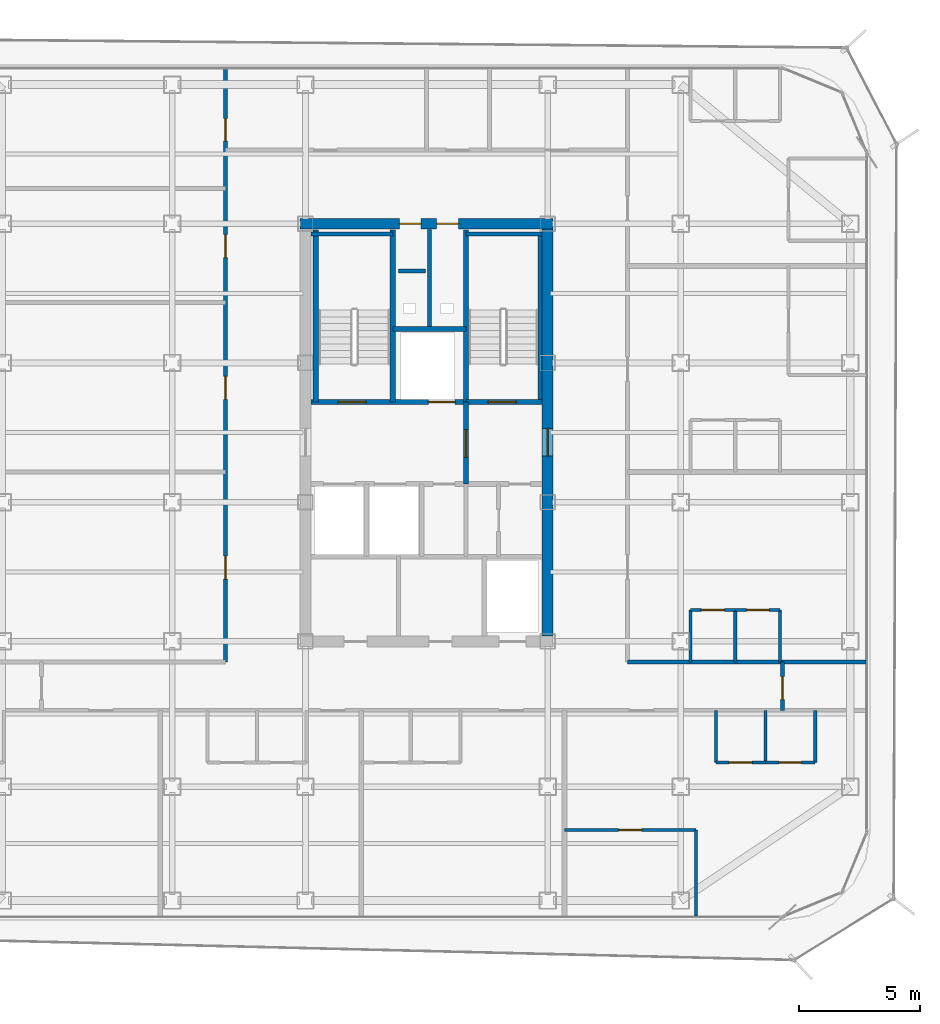
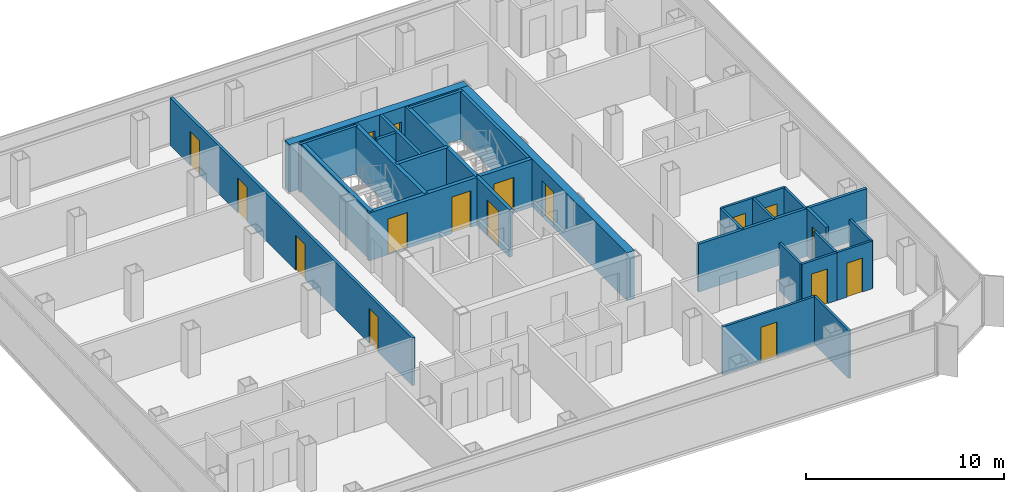
# One storey, part 11 of 15: 30 walls, 17 doors, 17 openings.
"""IFC4 building model written with IfcOpenShell, lengths in metres."""

from ifc_helpers import new_model, si_unit, direction, frame, frame_2d, origin, place, context, subcontext, project, spatial, rectangle, extrude, material, layer, layer_set, type_object, element, fill, save


model = new_model("IFC4")

# Units and contexts
model_context = context("Model", 3, precision=1e-05, world=origin(), true_north=direction((0.0, 1.0)))
body_context = subcontext(model_context, "Body", "Model", "MODEL_VIEW")
ifc_project = project(units=[si_unit("LENGTHUNIT", "METRE"), si_unit("AREAUNIT", "SQUARE_METRE"), si_unit("VOLUMEUNIT", "CUBIC_METRE"), si_unit("PLANEANGLEUNIT", "RADIAN"), si_unit("MASSUNIT", "GRAM", prefix="KILO")], contexts=[model_context])

# Site, building, storey
site_placement = place(None, origin())
site = spatial("IfcSite", under=ifc_project, at=site_placement, CompositionType="ELEMENT")
building_placement = place(site_placement, origin())
building = spatial("IfcBuilding", under=site, at=building_placement, Name="Kolveth Station Tower", CompositionType="ELEMENT")
storey_placement = place(building_placement, frame((0.0, 0.0, 165.699951171875)))
storey = spatial("IfcBuildingStorey", under=building, at=storey_placement, Name="L46", CompositionType="ELEMENT", Elevation=165.699951171875)

# Wall, openings, doors
ifc_material_1 = material(Name="Concrete C50/60", Category="concrete")
ifc_layer_1 = layer(ifc_material_1, 0.449951171875)
ifc_layer_set_1 = layer_set([ifc_layer_1], Name="Concrete C50/60")
wall_type_1 = type_object("IfcWallType", Name="Wall_CW-450", PredefinedType="SHEAR", material=ifc_layer_set_1)
wall_1_placement = place(storey_placement, frame((18.27490234375, 28.75, 0.0), z_axis=(0.0, 0.0, 1.0), x_axis=(1.0, 0.0, 0.0)))
wall_1 = element("IfcWall", 1, at=wall_1_placement, inside=storey, type_object=wall_type_1, Name="L46 Core RC Shear Wall N", PredefinedType="SHEAR", context=body_context, shape_type="SweptSolid", body=[
    extrude(rectangle(XDim=10.4501953125, YDim=0.449951171875, at=frame_2d((5.22509765625, 0.0))), origin(), (0.0, 0.0, 1.0), 2.949951171875),
])
opening_1_placement = place(wall_1_placement, frame((4.10498046875, 0.0, 0.0)))
opening_1 = element("IfcOpeningElement", 2, at=opening_1_placement, cuts=wall_1, Name="Opening RD1", PredefinedType="OPENING", context=body_context, shape_type="SweptSolid", body=[
    extrude(rectangle(XDim=0.89990234375, YDim=2.050048828125, at=frame_2d((0.449951171875, 1.02490234375))), frame((0.0, 0.23486328125, 0.0), z_axis=(0.0, -1.0, 0.0), x_axis=(1.0, 0.0, 0.0)), (0.0, 0.0, 1.0), 0.469970703125),
])
opening_2_placement = place(wall_1_placement, frame((5.64501953125, 0.0, 0.0)))
opening_2 = element("IfcOpeningElement", 3, at=opening_2_placement, cuts=wall_1, Name="Opening RD1", PredefinedType="OPENING", context=body_context, shape_type="SweptSolid", body=[
    extrude(rectangle(XDim=0.89990234375, YDim=2.050048828125, at=frame_2d((0.449951171875, 1.02490234375))), frame((0.0, 0.23486328125, 0.0), z_axis=(0.0, -1.0, 0.0), x_axis=(1.0, 0.0, 0.0)), (0.0, 0.0, 1.0), 0.469970703125),
])
ifc_material_2 = material(Name="Fire-rated Steel S355 riser access leaf", Category="steel")
door_type_1 = type_object("IfcDoorType", Name="Door_RD1", OperationType="NOTDEFINED", PredefinedType="DOOR", material=ifc_material_2)
door_1_placement = place(opening_1_placement, origin())
door_1 = element("IfcDoor", 4, at=door_1_placement, inside=storey, type_object=door_type_1, Name="L46 Electrical Riser Access Door", OperationType="SINGLE_SWING_LEFT", OverallHeight=2.050048828125, OverallWidth=0.89990234375, PredefinedType="DOOR", context=body_context, shape_type="SweptSolid", body=[
    extrude(rectangle(XDim=0.89990234375, YDim=2.050048828125, at=frame_2d((0.449951171875, 1.02490234375))), frame((0.0, 0.02490234375, 0.0), z_axis=(0.0, -1.0, 0.0), x_axis=(1.0, 0.0, 0.0)), (0.0, 0.0, 1.0), 0.050048828125),
])
fill(opening_1, door_1)
door_2_placement = place(opening_2_placement, origin())
door_2 = element("IfcDoor", 5, at=door_2_placement, inside=storey, type_object=door_type_1, Name="L46 Smoke Duct Access Door", OperationType="SINGLE_SWING_LEFT", OverallHeight=2.050048828125, OverallWidth=0.89990234375, PredefinedType="DOOR", context=body_context, shape_type="SweptSolid", body=[
    extrude(rectangle(XDim=0.89990234375, YDim=2.050048828125, at=frame_2d((0.449951171875, 1.02490234375))), frame((0.0, 0.02490234375, 0.0), z_axis=(0.0, -1.0, 0.0), x_axis=(1.0, 0.0, 0.0)), (0.0, 0.0, 1.0), 0.050048828125),
])
fill(opening_2, door_2)

# Wall, opening, door
wall_2_placement = place(storey_placement, frame((28.5, 11.72509765625, 0.0), z_axis=(0.0, 0.0, 1.0), x_axis=(0.0, 1.0, 0.0)))
wall_2 = element("IfcWall", 6, at=wall_2_placement, inside=storey, type_object=wall_type_1, Name="L46 Core RC Shear Wall E", PredefinedType="SHEAR", context=body_context, shape_type="SweptSolid", body=[
    extrude(rectangle(XDim=16.7998046875, YDim=0.449951171875, at=frame_2d((8.39990234375, 0.0))), origin(), (0.0, 0.0, 1.0), 2.949951171875),
])
opening_3_placement = place(wall_2_placement, frame((7.425048828125, 0.0, 0.0)))
opening_3 = element("IfcOpeningElement", 7, at=opening_3_placement, cuts=wall_2, Name="Opening FD1", PredefinedType="OPENING", context=body_context, shape_type="SweptSolid", body=[
    extrude(rectangle(XDim=1.14990234375, YDim=2.199951171875, at=frame_2d((0.574951171875, 1.10009765625))), frame((0.0, 0.23486328125, 0.0), z_axis=(0.0, -1.0, 0.0), x_axis=(1.0, 0.0, 0.0)), (0.0, 0.0, 1.0), 0.469970703125),
])
ifc_material_3 = material(Name="Fire-rated Steel S355 leaf and frame", Category="steel")
door_type_2 = type_object("IfcDoorType", Name="Door_FD1", OperationType="NOTDEFINED", PredefinedType="DOOR", material=ifc_material_3)
door_3_placement = place(opening_3_placement, origin())
door_3 = element("IfcDoor", 8, at=door_3_placement, inside=storey, type_object=door_type_2, Name="L46 East Corridor to Stair Lobby Door", OperationType="SINGLE_SWING_LEFT", OverallHeight=2.199951171875, OverallWidth=1.14990234375, PredefinedType="DOOR", context=body_context, shape_type="SweptSolid", body=[
    extrude(rectangle(XDim=1.14990234375, YDim=2.199951171875, at=frame_2d((0.574951171875, 1.10009765625))), frame((0.0, 0.02490234375, 0.0), z_axis=(0.0, -1.0, 0.0), x_axis=(1.0, 0.0, 0.0)), (0.0, 0.0, 1.0), 0.050048828125),
])
fill(opening_3, door_3)

ifc_material_4 = material(Name="Moisture-resistant gypsum partition")
ifc_layer_2 = layer(ifc_material_4, 0.135009765625)
ifc_layer_set_2 = layer_set([ifc_layer_2], Name="Moisture-resistant gypsum partition")
wall_type_2 = type_object("IfcWallType", Name="Wall_IW-135", PredefinedType="PARTITIONING", material=ifc_layer_set_2)
wall_3_placement = place(storey_placement, frame((35.449951171875, 6.5, 0.0), z_axis=(0.0, 0.0, 1.0), x_axis=(1.0, 0.0, 0.0)))
wall_3 = element("IfcWall", 9, at=wall_3_placement, inside=storey, type_object=wall_type_2, Name="L46 Partition Wall WL-L46-A4-IBHK", PredefinedType="PARTITIONING", context=body_context, shape_type="SweptSolid", body=[
    extrude(rectangle(XDim=2.050048828125, YDim=0.135009765625, at=frame_2d((1.02490234375, 0.0))), origin(), (0.0, 0.0, 1.0), 2.949951171875),
])
opening_4_placement = place(wall_3_placement, frame((0.544921875, 0.0, 0.0)))
opening_4 = element("IfcOpeningElement", 10, at=opening_4_placement, cuts=wall_3, Name="Opening ID1", PredefinedType="OPENING", context=body_context, shape_type="SweptSolid", body=[
    extrude(rectangle(XDim=0.949951171875, YDim=2.14990234375, at=frame_2d((0.47509765625, 1.074951171875))), frame((0.0, 0.077392578125, 0.0), z_axis=(0.0, -1.0, 0.0), x_axis=(1.0, 0.0, 0.0)), (0.0, 0.0, 1.0), 0.155029296875),
])
ifc_material_5 = material(Name="Acoustic hardwood leaf and aluminium frame", Category="wood")
door_type_3 = type_object("IfcDoorType", Name="Door_ID1", OperationType="NOTDEFINED", PredefinedType="DOOR", material=ifc_material_5)
door_4_placement = place(opening_4_placement, origin())
door_4 = element("IfcDoor", 11, at=door_4_placement, inside=storey, type_object=door_type_3, Name="Penthouse Flat L46-A4 Kitchen Door", OperationType="SINGLE_SWING_LEFT", OverallHeight=2.14990234375, OverallWidth=0.949951171875, PredefinedType="DOOR", context=body_context, shape_type="SweptSolid", body=[
    extrude(rectangle(XDim=0.949951171875, YDim=2.14990234375, at=frame_2d((0.47509765625, 1.074951171875))), frame((0.0, 0.02490234375, 0.0), z_axis=(0.0, -1.0, 0.0), x_axis=(1.0, 0.0, 0.0)), (0.0, 0.0, 1.0), 0.050048828125),
])
fill(opening_4, door_4)

wall_4_placement = place(storey_placement, frame((37.5, 6.5, 0.0), z_axis=(0.0, 0.0, 1.0), x_axis=(1.0, 0.0, 0.0)))
wall_4 = element("IfcWall", 12, at=wall_4_placement, inside=storey, type_object=wall_type_2, Name="L46 Partition Wall WL-L46-A4-IBHB", PredefinedType="PARTITIONING", context=body_context, shape_type="SweptSolid", body=[
    extrude(rectangle(XDim=2.050048828125, YDim=0.135009765625, at=frame_2d((1.02490234375, 0.0))), origin(), (0.0, 0.0, 1.0), 2.949951171875),
])
opening_5_placement = place(wall_4_placement, frame((0.56494140625, 0.0, 0.0)))
opening_5 = element("IfcOpeningElement", 13, at=opening_5_placement, cuts=wall_4, Name="Opening ID2", PredefinedType="OPENING", context=body_context, shape_type="SweptSolid", body=[
    extrude(rectangle(XDim=0.919921875, YDim=2.10009765625, at=frame_2d((0.4599609375, 1.050048828125))), frame((0.0, 0.077392578125, 0.0), z_axis=(0.0, -1.0, 0.0), x_axis=(1.0, 0.0, 0.0)), (0.0, 0.0, 1.0), 0.155029296875),
])
ifc_material_6 = material(Name="Moisture-resistant hardwood leaf", Category="wood")
door_type_4 = type_object("IfcDoorType", Name="Door_ID2", OperationType="NOTDEFINED", PredefinedType="DOOR", material=ifc_material_6)
door_5_placement = place(opening_5_placement, origin())
door_5 = element("IfcDoor", 14, at=door_5_placement, inside=storey, type_object=door_type_4, Name="Penthouse Flat L46-A4 Bathroom Door", OperationType="SINGLE_SWING_RIGHT", OverallHeight=2.10009765625, OverallWidth=0.919921875, PredefinedType="DOOR", context=body_context, shape_type="SweptSolid", body=[
    extrude(rectangle(XDim=0.919921875, YDim=2.10009765625, at=frame_2d((0.4599609375, 1.050048828125))), frame((0.0, 0.02490234375, 0.0), z_axis=(0.0, -1.0, 0.0), x_axis=(1.0, 0.0, 0.0)), (0.0, 0.0, 1.0), 0.050048828125),
])
fill(opening_5, door_5)

# Walls
for number, where, z_axis, x_axis, name in (
    (15, (35.449951171875, 6.5, 0.0), (0.0, 0.0, 1.0), (0.0, 1.0, 0.0), "L46 Partition Wall WL-L46-A4-IBV0"),
    (16, (37.5, 6.5, 0.0), (0.0, 0.0, 1.0), (0.0, 1.0, 0.0), "L46 Partition Wall WL-L46-A4-IBV1"),
    (17, (39.550048828125, 6.5, 0.0), (0.0, 0.0, 1.0), (0.0, 1.0, 0.0), "L46 Partition Wall WL-L46-A4-IBV2"),
):
    element("IfcWall", number, at=place(storey_placement, frame(where, z_axis=z_axis, x_axis=x_axis)), inside=storey, type_object=wall_type_2, Name=name, PredefinedType="PARTITIONING", context=body_context, shape_type="SweptSolid", body=[
        extrude(rectangle(XDim=2.14990234375, YDim=0.135009765625, at=frame_2d((1.074951171875, 0.0))), origin(), (0.0, 0.0, 1.0), 2.949951171875),
    ])
wall_5_placement = place(storey_placement, frame((34.625, 0.159912109375, 0.0), z_axis=(0.0, 0.0, 1.0), x_axis=(0.0, 1.0, 0.0)))
element("IfcWall", 18, at=wall_5_placement, inside=storey, type_object=wall_type_2, Name="L46 Partition Wall WL-L46-A4-BDVE", PredefinedType="PARTITIONING", context=body_context, shape_type="SweptSolid", body=[
    extrude(rectangle(XDim=3.550048828125, YDim=0.135009765625, at=frame_2d((1.77490234375, 0.0))), origin(), (0.0, 0.0, 1.0), 2.949951171875),
])

# Wall, opening, door
wall_6_placement = place(storey_placement, frame((29.199951171875, 3.7099609375, 0.0), z_axis=(0.0, 0.0, 1.0), x_axis=(1.0, 0.0, 0.0)))
wall_6 = element("IfcWall", 19, at=wall_6_placement, inside=storey, type_object=wall_type_2, Name="L46 Partition Wall WL-L46-A4-BDH1", PredefinedType="PARTITIONING", context=body_context, shape_type="SweptSolid", body=[
    extrude(rectangle(XDim=5.425048828125, YDim=0.135009765625, at=frame_2d((2.71240234375, 0.0))), origin(), (0.0, 0.0, 1.0), 2.949951171875),
])
opening_6_placement = place(wall_6_placement, frame((2.23291015625, 0.0, 0.0)))
opening_6 = element("IfcOpeningElement", 20, at=opening_6_placement, cuts=wall_6, Name="Opening ID1", PredefinedType="OPENING", context=body_context, shape_type="SweptSolid", body=[
    extrude(rectangle(XDim=0.949951171875, YDim=2.14990234375, at=frame_2d((0.47509765625, 1.074951171875))), frame((0.0, 0.077392578125, 0.0), z_axis=(0.0, -1.0, 0.0), x_axis=(1.0, 0.0, 0.0)), (0.0, 0.0, 1.0), 0.155029296875),
])
door_6_placement = place(opening_6_placement, frame((0.949951171875, 0.0, 0.0), z_axis=(0.0, 0.0, 1.0), x_axis=(-1.0, 0.0, 0.0)))
door_6 = element("IfcDoor", 21, at=door_6_placement, inside=storey, type_object=door_type_3, Name="Penthouse Flat L46-A4 Bedroom 1 Door", OperationType="SINGLE_SWING_LEFT", OverallHeight=2.14990234375, OverallWidth=0.949951171875, PredefinedType="DOOR", context=body_context, shape_type="SweptSolid", body=[
    extrude(rectangle(XDim=0.949951171875, YDim=2.14990234375, at=frame_2d((0.47509765625, 1.074951171875))), frame((0.0, 0.02490234375, 0.0), z_axis=(0.0, -1.0, 0.0), x_axis=(1.0, 0.0, 0.0)), (0.0, 0.0, 1.0), 0.050048828125),
])
fill(opening_6, door_6)

wall_7_placement = place(storey_placement, frame((34.39990234375, 12.800048828125, 0.0), z_axis=(0.0, 0.0, 1.0), x_axis=(1.0, 0.0, 0.0)))
wall_7 = element("IfcWall", 22, at=wall_7_placement, inside=storey, type_object=wall_type_2, Name="L46 Partition Wall WL-L46-E1-IBHK", PredefinedType="PARTITIONING", context=body_context, shape_type="SweptSolid", body=[
    extrude(rectangle(XDim=1.85009765625, YDim=0.135009765625, at=frame_2d((0.925048828125, 0.0))), origin(), (0.0, 0.0, 1.0), 2.949951171875),
])
opening_7_placement = place(wall_7_placement, frame((0.445068359375, 0.0, 0.0)))
opening_7 = element("IfcOpeningElement", 23, at=opening_7_placement, cuts=wall_7, Name="Opening ID1", PredefinedType="OPENING", context=body_context, shape_type="SweptSolid", body=[
    extrude(rectangle(XDim=0.949951171875, YDim=2.14990234375, at=frame_2d((0.47509765625, 1.074951171875))), frame((0.0, 0.077392578125, 0.0), z_axis=(0.0, -1.0, 0.0), x_axis=(1.0, 0.0, 0.0)), (0.0, 0.0, 1.0), 0.155029296875),
])
door_7_placement = place(opening_7_placement, origin())
door_7 = element("IfcDoor", 24, at=door_7_placement, inside=storey, type_object=door_type_3, Name="Flat L46-E1 Kitchen Door", OperationType="SINGLE_SWING_LEFT", OverallHeight=2.14990234375, OverallWidth=0.949951171875, PredefinedType="DOOR", context=body_context, shape_type="SweptSolid", body=[
    extrude(rectangle(XDim=0.949951171875, YDim=2.14990234375, at=frame_2d((0.47509765625, 1.074951171875))), frame((0.0, 0.02490234375, 0.0), z_axis=(0.0, -1.0, 0.0), x_axis=(1.0, 0.0, 0.0)), (0.0, 0.0, 1.0), 0.050048828125),
])
fill(opening_7, door_7)

wall_8_placement = place(storey_placement, frame((36.25, 12.800048828125, 0.0), z_axis=(0.0, 0.0, 1.0), x_axis=(1.0, 0.0, 0.0)))
wall_8 = element("IfcWall", 25, at=wall_8_placement, inside=storey, type_object=wall_type_2, Name="L46 Partition Wall WL-L46-E1-IBHB", PredefinedType="PARTITIONING", context=body_context, shape_type="SweptSolid", body=[
    extrude(rectangle(XDim=1.85009765625, YDim=0.135009765625, at=frame_2d((0.925048828125, 0.0))), origin(), (0.0, 0.0, 1.0), 2.949951171875),
])
opening_8_placement = place(wall_8_placement, frame((0.465087890625, 0.0, 0.0)))
opening_8 = element("IfcOpeningElement", 26, at=opening_8_placement, cuts=wall_8, Name="Opening ID2", PredefinedType="OPENING", context=body_context, shape_type="SweptSolid", body=[
    extrude(rectangle(XDim=0.919921875, YDim=2.10009765625, at=frame_2d((0.4599609375, 1.050048828125))), frame((0.0, 0.077392578125, 0.0), z_axis=(0.0, -1.0, 0.0), x_axis=(1.0, 0.0, 0.0)), (0.0, 0.0, 1.0), 0.155029296875),
])
door_8_placement = place(opening_8_placement, origin())
door_8 = element("IfcDoor", 27, at=door_8_placement, inside=storey, type_object=door_type_4, Name="Flat L46-E1 Bathroom Door", OperationType="SINGLE_SWING_RIGHT", OverallHeight=2.10009765625, OverallWidth=0.919921875, PredefinedType="DOOR", context=body_context, shape_type="SweptSolid", body=[
    extrude(rectangle(XDim=0.919921875, YDim=2.10009765625, at=frame_2d((0.4599609375, 1.050048828125))), frame((0.0, 0.02490234375, 0.0), z_axis=(0.0, -1.0, 0.0), x_axis=(1.0, 0.0, 0.0)), (0.0, 0.0, 1.0), 0.050048828125),
])
fill(opening_8, door_8)

# Walls
for number, where, z_axis, x_axis, name in (
    (28, (34.39990234375, 10.64990234375, 0.0), (0.0, 0.0, 1.0), (0.0, 1.0, 0.0), "L46 Partition Wall WL-L46-E1-IBV0"),
    (29, (36.25, 10.64990234375, 0.0), (0.0, 0.0, 1.0), (0.0, 1.0, 0.0), "L46 Partition Wall WL-L46-E1-IBV1"),
    (30, (38.10009765625, 10.64990234375, 0.0), (0.0, 0.0, 1.0), (0.0, 1.0, 0.0), "L46 Partition Wall WL-L46-E1-IBV2"),
):
    element("IfcWall", number, at=place(storey_placement, frame(where, z_axis=z_axis, x_axis=x_axis)), inside=storey, type_object=wall_type_2, Name=name, PredefinedType="PARTITIONING", context=body_context, shape_type="SweptSolid", body=[
        extrude(rectangle(XDim=2.150146484375, YDim=0.135009765625, at=frame_2d((1.0751953125, 0.0))), origin(), (0.0, 0.0, 1.0), 2.949951171875),
    ])
ifc_material_7 = material(Name="Acoustic double-stud gypsum partition")
ifc_layer_3 = layer(ifc_material_7, 0.1650390625)
ifc_layer_set_3 = layer_set([ifc_layer_3], Name="Acoustic double-stud gypsum partition")
wall_type_3 = type_object("IfcWallType", Name="Wall_IW-165", PredefinedType="PARTITIONING", material=ifc_layer_set_3)
wall_9_placement = place(storey_placement, frame((18.735107421875, 28.3349609375, 0.0), z_axis=(0.0, 0.0, 1.0), x_axis=(1.0, 0.0, 0.0)))
element("IfcWall", 31, at=wall_9_placement, inside=storey, type_object=wall_type_3, Name="L46 Stair Shaft Wall WL-L46-ST1-N", PredefinedType="PARTITIONING", context=body_context, shape_type="SweptSolid", body=[
    extrude(rectangle(XDim=3.375, YDim=0.1650390625, at=frame_2d((1.6875, 0.0))), origin(), (0.0, 0.0, 1.0), 2.949951171875),
])
wall_10_placement = place(storey_placement, frame((25.1298828125, 28.3349609375, 0.0), z_axis=(0.0, 0.0, 1.0), x_axis=(1.0, 0.0, 0.0)))
element("IfcWall", 32, at=wall_10_placement, inside=storey, type_object=wall_type_3, Name="L46 Stair Shaft Wall WL-L46-ST2-N", PredefinedType="PARTITIONING", context=body_context, shape_type="SweptSolid", body=[
    extrude(rectangle(XDim=3.135009765625, YDim=0.1650390625, at=frame_2d((1.5673828125, 0.0))), origin(), (0.0, 0.0, 1.0), 2.949951171875),
])
wall_11_placement = place(storey_placement, frame((28.1826171875, 21.389892578125, 0.0), z_axis=(0.0, 0.0, 1.0), x_axis=(0.0, 1.0, 0.0)))
element("IfcWall", 33, at=wall_11_placement, inside=storey, type_object=wall_type_3, Name="L46 Stair Shaft Wall WL-L46-ST2-E", PredefinedType="PARTITIONING", context=body_context, shape_type="SweptSolid", body=[
    extrude(rectangle(XDim=6.945068359375, YDim=0.1650390625, at=frame_2d((3.47265625, 0.0))), origin(), (0.0, 0.0, 1.0), 2.949951171875),
])
wall_12_placement = place(storey_placement, frame((23.6201171875, 24.39990234375, 0.0), z_axis=(0.0, 0.0, 1.0), x_axis=(0.0, 1.0, 0.0)))
element("IfcWall", 34, at=wall_12_placement, inside=storey, type_object=wall_type_3, Name="L46 Partition Wall WL-L46-RSR-M", PredefinedType="PARTITIONING", context=body_context, shape_type="SweptSolid", body=[
    extrude(rectangle(XDim=4.114990234375, YDim=0.1650390625, at=frame_2d((2.0576171875, 0.0))), origin(), (0.0, 0.0, 1.0), 2.949951171875),
])
wall_13_placement = place(storey_placement, frame((31.800048828125, 10.64990234375, 0.0), z_axis=(0.0, 0.0, 1.0), x_axis=(1.0, 0.0, 0.0)))
element("IfcWall", 35, at=wall_13_placement, inside=storey, type_object=wall_type_3, Name="L46 Partition Wall WL-L46-RSET", PredefinedType="PARTITIONING", context=body_context, shape_type="SweptSolid", body=[
    extrude(rectangle(XDim=6.39990234375, YDim=0.1650390625, at=frame_2d((3.199951171875, 0.0))), origin(), (0.0, 0.0, 1.0), 2.949951171875),
])

# Wall, opening, door
wall_14_placement = place(storey_placement, frame((38.199951171875, 8.64990234375, 0.0), z_axis=(0.0, 0.0, 1.0), x_axis=(0.0, 1.0, 0.0)))
wall_14 = element("IfcWall", 36, at=wall_14_placement, inside=storey, type_object=wall_type_3, Name="L46 Partition Wall WL-L46-RSEE", PredefinedType="PARTITIONING", context=body_context, shape_type="SweptSolid", body=[
    extrude(rectangle(XDim=2.0, YDim=0.1650390625, at=frame_2d((1.0, 0.0))), origin(), (0.0, 0.0, 1.0), 2.949951171875),
])
opening_9_placement = place(wall_14_placement, frame((0.449951171875, 0.0, 0.0)))
opening_9 = element("IfcOpeningElement", 37, at=opening_9_placement, cuts=wall_14, Name="Opening ID1", PredefinedType="OPENING", context=body_context, shape_type="SweptSolid", body=[
    extrude(rectangle(XDim=0.949951171875, YDim=2.14990234375, at=frame_2d((0.47509765625, 1.074951171875))), frame((0.0, 0.092529296875, 0.0), z_axis=(0.0, -1.0, 0.0), x_axis=(1.0, 0.0, 0.0)), (0.0, 0.0, 1.0), 0.18505859375),
])
door_9_placement = place(opening_9_placement, origin())
door_9 = element("IfcDoor", 38, at=door_9_placement, inside=storey, type_object=door_type_3, Name="L46 Hobby Study Door", OperationType="SINGLE_SWING_RIGHT", OverallHeight=2.14990234375, OverallWidth=0.949951171875, PredefinedType="DOOR", context=body_context, shape_type="SweptSolid", body=[
    extrude(rectangle(XDim=0.949951171875, YDim=2.14990234375, at=frame_2d((0.47509765625, 1.074951171875))), frame((0.0, 0.02490234375, 0.0), z_axis=(0.0, -1.0, 0.0), x_axis=(1.0, 0.0, 0.0)), (0.0, 0.0, 1.0), 0.050048828125),
])
fill(opening_9, door_9)

# Wall, openings, doors
wall_15_placement = place(storey_placement, frame((15.199951171875, 10.64990234375, 0.0), z_axis=(0.0, 0.0, 1.0), x_axis=(0.0, 1.0, 0.0)))
wall_15 = element("IfcWall", 39, at=wall_15_placement, inside=storey, type_object=wall_type_3, Name="L46 Partition Wall WL-L46-RW", PredefinedType="PARTITIONING", context=body_context, shape_type="SweptSolid", body=[
    extrude(rectangle(XDim=24.489990234375, YDim=0.1650390625, at=frame_2d((12.2451171875, 0.0))), origin(), (0.0, 0.0, 1.0), 2.949951171875),
])
opening_10_placement = place(wall_15_placement, frame((3.425048828125, 0.0, 0.0)))
opening_10 = element("IfcOpeningElement", 40, at=opening_10_placement, cuts=wall_15, Name="Opening ID1", PredefinedType="OPENING", context=body_context, shape_type="SweptSolid", body=[
    extrude(rectangle(XDim=0.949951171875, YDim=2.14990234375, at=frame_2d((0.47509765625, 1.074951171875))), frame((0.0, 0.092529296875, 0.0), z_axis=(0.0, -1.0, 0.0), x_axis=(1.0, 0.0, 0.0)), (0.0, 0.0, 1.0), 0.18505859375),
])
opening_11_placement = place(wall_15_placement, frame((10.85009765625, 0.0, 0.0)))
opening_11 = element("IfcOpeningElement", 41, at=opening_11_placement, cuts=wall_15, Name="Opening ID1", PredefinedType="OPENING", context=body_context, shape_type="SweptSolid", body=[
    extrude(rectangle(XDim=0.949951171875, YDim=2.14990234375, at=frame_2d((0.47509765625, 1.074951171875))), frame((0.0, 0.092529296875, 0.0), z_axis=(0.0, -1.0, 0.0), x_axis=(1.0, 0.0, 0.0)), (0.0, 0.0, 1.0), 0.18505859375),
])
opening_12_placement = place(wall_15_placement, frame((16.699951171875, 0.0, 0.0)))
opening_12 = element("IfcOpeningElement", 42, at=opening_12_placement, cuts=wall_15, Name="Opening ID1", PredefinedType="OPENING", context=body_context, shape_type="SweptSolid", body=[
    extrude(rectangle(XDim=0.949951171875, YDim=2.14990234375, at=frame_2d((0.47509765625, 1.074951171875))), frame((0.0, 0.092529296875, 0.0), z_axis=(0.0, -1.0, 0.0), x_axis=(1.0, 0.0, 0.0)), (0.0, 0.0, 1.0), 0.18505859375),
])
opening_13_placement = place(wall_15_placement, frame((21.52001953125, 0.0, 0.0)))
opening_13 = element("IfcOpeningElement", 43, at=opening_13_placement, cuts=wall_15, Name="Opening ID2", PredefinedType="OPENING", context=body_context, shape_type="SweptSolid", body=[
    extrude(rectangle(XDim=0.919921875, YDim=2.10009765625, at=frame_2d((0.4599609375, 1.050048828125))), frame((0.0, 0.092529296875, 0.0), z_axis=(0.0, -1.0, 0.0), x_axis=(1.0, 0.0, 0.0)), (0.0, 0.0, 1.0), 0.18505859375),
])
door_10_placement = place(opening_10_placement, frame((0.949951171875, 0.0, 0.0), z_axis=(0.0, 0.0, 1.0), x_axis=(-1.0, 0.0, 0.0)))
door_10 = element("IfcDoor", 44, at=door_10_placement, inside=storey, type_object=door_type_3, Name="L46 Wellness Treatment Room 1 Door", OperationType="SINGLE_SWING_LEFT", OverallHeight=2.14990234375, OverallWidth=0.949951171875, PredefinedType="DOOR", context=body_context, shape_type="SweptSolid", body=[
    extrude(rectangle(XDim=0.949951171875, YDim=2.14990234375, at=frame_2d((0.47509765625, 1.074951171875))), frame((0.0, 0.02490234375, 0.0), z_axis=(0.0, -1.0, 0.0), x_axis=(1.0, 0.0, 0.0)), (0.0, 0.0, 1.0), 0.050048828125),
])
fill(opening_10, door_10)
door_11_placement = place(opening_11_placement, frame((0.949951171875, 0.0, 0.0), z_axis=(0.0, 0.0, 1.0), x_axis=(-1.0, 0.0, 0.0)))
door_11 = element("IfcDoor", 45, at=door_11_placement, inside=storey, type_object=door_type_3, Name="L46 Wellness Treatment Room 2 Door", OperationType="SINGLE_SWING_LEFT", OverallHeight=2.14990234375, OverallWidth=0.949951171875, PredefinedType="DOOR", context=body_context, shape_type="SweptSolid", body=[
    extrude(rectangle(XDim=0.949951171875, YDim=2.14990234375, at=frame_2d((0.47509765625, 1.074951171875))), frame((0.0, 0.02490234375, 0.0), z_axis=(0.0, -1.0, 0.0), x_axis=(1.0, 0.0, 0.0)), (0.0, 0.0, 1.0), 0.050048828125),
])
fill(opening_11, door_11)
door_12_placement = place(opening_12_placement, frame((0.949951171875, 0.0, 0.0), z_axis=(0.0, 0.0, 1.0), x_axis=(-1.0, 0.0, 0.0)))
door_12 = element("IfcDoor", 46, at=door_12_placement, inside=storey, type_object=door_type_3, Name="L46 Relaxation Study Door", OperationType="SINGLE_SWING_LEFT", OverallHeight=2.14990234375, OverallWidth=0.949951171875, PredefinedType="DOOR", context=body_context, shape_type="SweptSolid", body=[
    extrude(rectangle(XDim=0.949951171875, YDim=2.14990234375, at=frame_2d((0.47509765625, 1.074951171875))), frame((0.0, 0.02490234375, 0.0), z_axis=(0.0, -1.0, 0.0), x_axis=(1.0, 0.0, 0.0)), (0.0, 0.0, 1.0), 0.050048828125),
])
fill(opening_12, door_12)
door_13_placement = place(opening_13_placement, frame((0.919921875, 0.0, 0.0), z_axis=(0.0, 0.0, 1.0), x_axis=(-1.0, 0.0, 0.0)))
door_13 = element("IfcDoor", 47, at=door_13_placement, inside=storey, type_object=door_type_4, Name="L46 Accessible Wellness WC Door", OperationType="SINGLE_SWING_RIGHT", OverallHeight=2.10009765625, OverallWidth=0.919921875, PredefinedType="DOOR", context=body_context, shape_type="SweptSolid", body=[
    extrude(rectangle(XDim=0.919921875, YDim=2.10009765625, at=frame_2d((0.4599609375, 1.050048828125))), frame((0.0, 0.02490234375, 0.0), z_axis=(0.0, -1.0, 0.0), x_axis=(1.0, 0.0, 0.0)), (0.0, 0.0, 1.0), 0.050048828125),
])
fill(opening_13, door_13)

# Walls
wall_16_placement = place(storey_placement, frame((38.199951171875, 10.64990234375, 0.0), z_axis=(0.0, 0.0, 1.0), x_axis=(1.0, 0.0, 0.0)))
element("IfcWall", 48, at=wall_16_placement, inside=storey, type_object=wall_type_3, Name="L46 Partition Wall WL-L46-ESTN", PredefinedType="PARTITIONING", context=body_context, shape_type="SweptSolid", body=[
    extrude(rectangle(XDim=3.43994140625, YDim=0.1650390625, at=frame_2d((1.719970703125, 0.0))), origin(), (0.0, 0.0, 1.0), 2.949951171875),
])
wall_17_placement = place(storey_placement, frame((22.35009765625, 26.800048828125, 0.0), z_axis=(0.0, 0.0, 1.0), x_axis=(1.0, 0.0, 0.0)))
element("IfcWall", 49, at=wall_17_placement, inside=storey, type_object=wall_type_3, Name="L46 Acoustic Riser Dry-Lining Wall", PredefinedType="PARTITIONING", context=body_context, shape_type="SweptSolid", body=[
    extrude(rectangle(XDim=1.099853515625, YDim=0.1650390625, at=frame_2d((0.5498046875, 0.0))), origin(), (0.0, 0.0, 1.0), 2.949951171875),
])
ifc_material_8 = material(Name="Acoustic fire-rated gypsum blockwork", Category="masonry")
ifc_layer_4 = layer(ifc_material_8, 0.199951171875)
ifc_layer_set_4 = layer_set([ifc_layer_4], Name="Acoustic fire-rated gypsum blockwork")
wall_type_4 = type_object("IfcWallType", Name="Wall_IW-200", PredefinedType="PARTITIONING", material=ifc_layer_set_4)
wall_18_placement = place(storey_placement, frame((22.110107421875, 24.39990234375, 0.0), z_axis=(0.0, 0.0, 1.0), x_axis=(1.0, 0.0, 0.0)))
element("IfcWall", 50, at=wall_18_placement, inside=storey, type_object=wall_type_4, Name="L46 Partition Wall WL-L46-RSR-S", PredefinedType="PARTITIONING", context=body_context, shape_type="SweptSolid", body=[
    extrude(rectangle(XDim=3.019775390625, YDim=0.199951171875, at=frame_2d((1.509765625, 0.0))), origin(), (0.0, 0.0, 1.0), 2.949951171875),
])

# Wall, opening, door
wall_19_placement = place(storey_placement, frame((25.1298828125, 18.0, 0.0), z_axis=(0.0, 0.0, 1.0), x_axis=(0.0, 1.0, 0.0)))
wall_19 = element("IfcWall", 51, at=wall_19_placement, inside=storey, type_object=wall_type_4, Name="L46 Partition Wall WL-L46-FFL-E", PredefinedType="PARTITIONING", context=body_context, shape_type="SweptSolid", body=[
    extrude(rectangle(XDim=3.389892578125, YDim=0.199951171875, at=frame_2d((1.69482421875, 0.0))), origin(), (0.0, 0.0, 1.0), 2.949951171875),
])
opening_14_placement = place(wall_19_placement, frame((1.10009765625, 0.0, 0.0)))
opening_14 = element("IfcOpeningElement", 52, at=opening_14_placement, cuts=wall_19, Name="Opening FD1", PredefinedType="OPENING", context=body_context, shape_type="SweptSolid", body=[
    extrude(rectangle(XDim=1.14990234375, YDim=2.199951171875, at=frame_2d((0.574951171875, 1.10009765625))), frame((0.0, 0.10986328125, 0.0), z_axis=(0.0, -1.0, 0.0), x_axis=(1.0, 0.0, 0.0)), (0.0, 0.0, 1.0), 0.219970703125),
])
door_14_placement = place(opening_14_placement, origin())
door_14 = element("IfcDoor", 53, at=door_14_placement, inside=storey, type_object=door_type_2, Name="L46 Firefighting to Stair Lobby Door", OperationType="SINGLE_SWING_RIGHT", OverallHeight=2.199951171875, OverallWidth=1.14990234375, PredefinedType="DOOR", context=body_context, shape_type="SweptSolid", body=[
    extrude(rectangle(XDim=1.14990234375, YDim=2.199951171875, at=frame_2d((0.574951171875, 1.10009765625))), frame((0.0, 0.02490234375, 0.0), z_axis=(0.0, -1.0, 0.0), x_axis=(1.0, 0.0, 0.0)), (0.0, 0.0, 1.0), 0.050048828125),
])
fill(opening_14, door_14)

# Walls
ifc_material_9 = material(Name="Concrete C40/50", Category="concrete")
ifc_layer_5 = layer(ifc_material_9, 0.219970703125)
ifc_layer_set_5 = layer_set([ifc_layer_5], Name="Concrete C40/50")
wall_type_5 = type_object("IfcWallType", Name="Wall_IW-220", PredefinedType="SOLIDWALL", material=ifc_layer_set_5)
for number, where, z_axis, x_axis, name in (
    (54, (18.929931640625, 21.389892578125, 0.0), (0.0, 0.0, 1.0), (0.0, 1.0, 0.0), "L46 Stair Shaft Wall WL-L46-ST1-W"),
    (55, (22.110107421875, 21.389892578125, 0.0), (0.0, 0.0, 1.0), (0.0, 1.0, 0.0), "L46 Stair Shaft Wall WL-L46-ST1-E"),
    (56, (25.1298828125, 21.389892578125, 0.0), (0.0, 0.0, 1.0), (0.0, 1.0, 0.0), "L46 Stair Shaft Wall WL-L46-ST2-W"),
):
    element("IfcWall", number, at=place(storey_placement, frame(where, z_axis=z_axis, x_axis=x_axis)), inside=storey, type_object=wall_type_5, Name=name, PredefinedType="SOLIDWALL", context=body_context, shape_type="SweptSolid", body=[
        extrude(rectangle(XDim=7.110107421875, YDim=0.219970703125, at=frame_2d((3.55517578125, 0.0))), origin(), (0.0, 0.0, 1.0), 2.949951171875),
    ])

# Wall, openings, doors
wall_20_placement = place(storey_placement, frame((18.735107421875, 21.389892578125, 0.0), z_axis=(0.0, 0.0, 1.0), x_axis=(1.0, 0.0, 0.0)))
wall_20 = element("IfcWall", 57, at=wall_20_placement, inside=storey, type_object=wall_type_5, Name="L46 Stair Shaft Wall WL-L46-ST1-S", PredefinedType="SOLIDWALL", context=body_context, shape_type="SweptSolid", body=[
    extrude(rectangle(XDim=6.394775390625, YDim=0.219970703125, at=frame_2d((3.197265625, 0.0))), origin(), (0.0, 0.0, 1.0), 2.949951171875),
])
opening_15_placement = place(wall_20_placement, frame((1.114990234375, 0.0, 0.0)))
opening_15 = element("IfcOpeningElement", 58, at=opening_15_placement, cuts=wall_20, Name="Opening FD1", PredefinedType="OPENING", context=body_context, shape_type="SweptSolid", body=[
    extrude(rectangle(XDim=1.14990234375, YDim=2.199951171875, at=frame_2d((0.574951171875, 1.10009765625))), frame((0.0, 0.119873046875, 0.0), z_axis=(0.0, -1.0, 0.0), x_axis=(1.0, 0.0, 0.0)), (0.0, 0.0, 1.0), 0.239990234375),
])
opening_16_placement = place(wall_20_placement, frame((4.844970703125, 0.0, 0.0)))
opening_16 = element("IfcOpeningElement", 59, at=opening_16_placement, cuts=wall_20, Name="Opening LD1", PredefinedType="OPENING", context=body_context, shape_type="SweptSolid", body=[
    extrude(rectangle(XDim=1.10009765625, YDim=2.25, at=frame_2d((0.550048828125, 1.125))), frame((0.0, 0.119873046875, 0.0), z_axis=(0.0, -1.0, 0.0), x_axis=(1.0, 0.0, 0.0)), (0.0, 0.0, 1.0), 0.239990234375),
])
door_15_placement = place(opening_15_placement, frame((1.14990234375, 0.0, 0.0), z_axis=(0.0, 0.0, 1.0), x_axis=(-1.0, 0.0, 0.0)))
door_15 = element("IfcDoor", 60, at=door_15_placement, inside=storey, type_object=door_type_2, Name="L46 Stair ST1 Fire Door", OperationType="SINGLE_SWING_RIGHT", OverallHeight=2.199951171875, OverallWidth=1.14990234375, PredefinedType="DOOR", context=body_context, shape_type="SweptSolid", body=[
    extrude(rectangle(XDim=1.14990234375, YDim=2.199951171875, at=frame_2d((0.574951171875, 1.10009765625))), frame((0.0, 0.02490234375, 0.0), z_axis=(0.0, -1.0, 0.0), x_axis=(1.0, 0.0, 0.0)), (0.0, 0.0, 1.0), 0.050048828125),
])
fill(opening_15, door_15)
ifc_material_10 = material(Name="Brushed stainless steel sliding landing doors", Category="steel")
door_type_5 = type_object("IfcDoorType", Name="Door_LD1", OperationType="NOTDEFINED", PredefinedType="DOOR", material=ifc_material_10)
door_16_placement = place(opening_16_placement, frame((1.10009765625, 0.0, 0.0), z_axis=(0.0, 0.0, 1.0), x_axis=(-1.0, 0.0, 0.0)))
door_16 = element("IfcDoor", 61, at=door_16_placement, inside=storey, type_object=door_type_5, Name="L46 Service Lift SV1 Landing Door", OperationType="DOUBLE_DOOR_SLIDING", OverallHeight=2.25, OverallWidth=1.10009765625, PredefinedType="DOOR", context=body_context, shape_type="SweptSolid", body=[
    extrude(rectangle(XDim=1.10009765625, YDim=2.25, at=frame_2d((0.550048828125, 1.125))), frame((0.0, 0.02490234375, 0.0), z_axis=(0.0, -1.0, 0.0), x_axis=(1.0, 0.0, 0.0)), (0.0, 0.0, 1.0), 0.050048828125),
])
fill(opening_16, door_16)

# Wall, opening, door
wall_21_placement = place(storey_placement, frame((25.1298828125, 21.389892578125, 0.0), z_axis=(0.0, 0.0, 1.0), x_axis=(1.0, 0.0, 0.0)))
wall_21 = element("IfcWall", 62, at=wall_21_placement, inside=storey, type_object=wall_type_5, Name="L46 Stair Shaft Wall WL-L46-ST2-S", PredefinedType="SOLIDWALL", context=body_context, shape_type="SweptSolid", body=[
    extrude(rectangle(XDim=3.135009765625, YDim=0.219970703125, at=frame_2d((1.5673828125, 0.0))), origin(), (0.0, 0.0, 1.0), 2.949951171875),
])
opening_17_placement = place(wall_21_placement, frame((0.919921875, 0.0, 0.0)))
opening_17 = element("IfcOpeningElement", 63, at=opening_17_placement, cuts=wall_21, Name="Opening FD1", PredefinedType="OPENING", context=body_context, shape_type="SweptSolid", body=[
    extrude(rectangle(XDim=1.14990234375, YDim=2.199951171875, at=frame_2d((0.574951171875, 1.10009765625))), frame((0.0, 0.119873046875, 0.0), z_axis=(0.0, -1.0, 0.0), x_axis=(1.0, 0.0, 0.0)), (0.0, 0.0, 1.0), 0.239990234375),
])
door_17_placement = place(opening_17_placement, frame((1.14990234375, 0.0, 0.0), z_axis=(0.0, 0.0, 1.0), x_axis=(-1.0, 0.0, 0.0)))
door_17 = element("IfcDoor", 64, at=door_17_placement, inside=storey, type_object=door_type_2, Name="L46 Stair ST2 Fire Door", OperationType="SINGLE_SWING_LEFT", OverallHeight=2.199951171875, OverallWidth=1.14990234375, PredefinedType="DOOR", context=body_context, shape_type="SweptSolid", body=[
    extrude(rectangle(XDim=1.14990234375, YDim=2.199951171875, at=frame_2d((0.574951171875, 1.10009765625))), frame((0.0, 0.02490234375, 0.0), z_axis=(0.0, -1.0, 0.0), x_axis=(1.0, 0.0, 0.0)), (0.0, 0.0, 1.0), 0.050048828125),
])
fill(opening_17, door_17)

save(model, "model.ifc")
